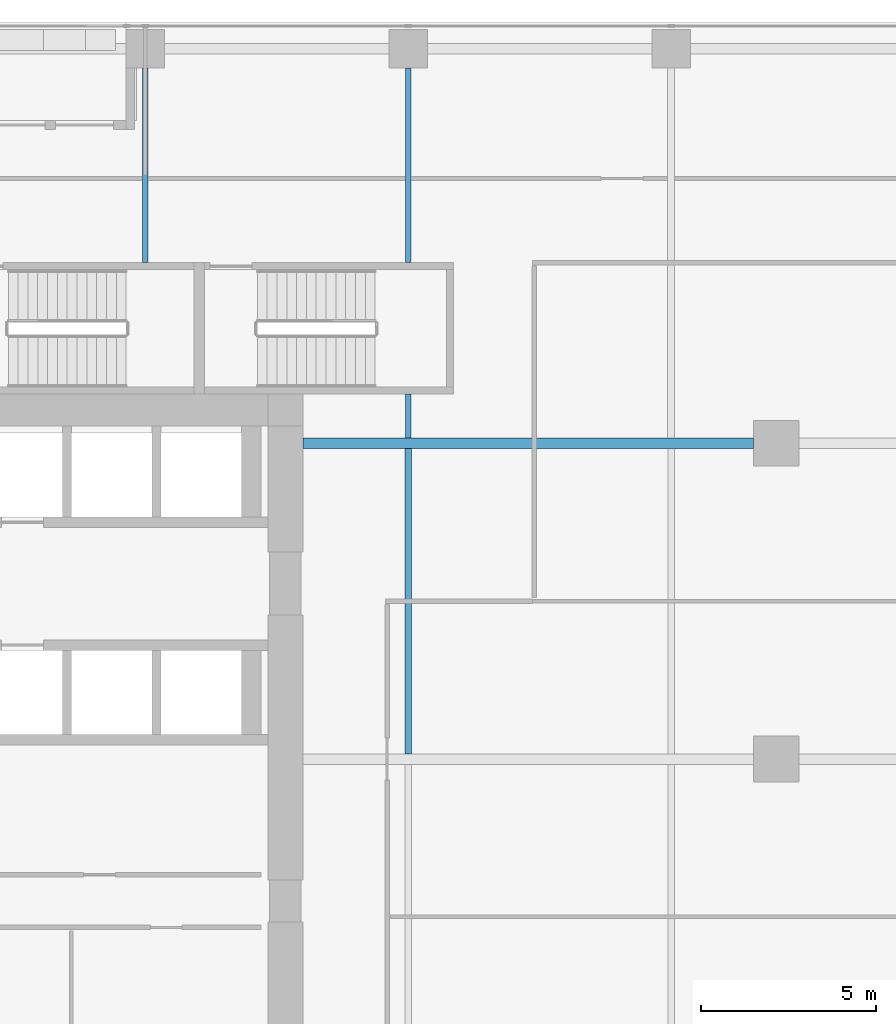
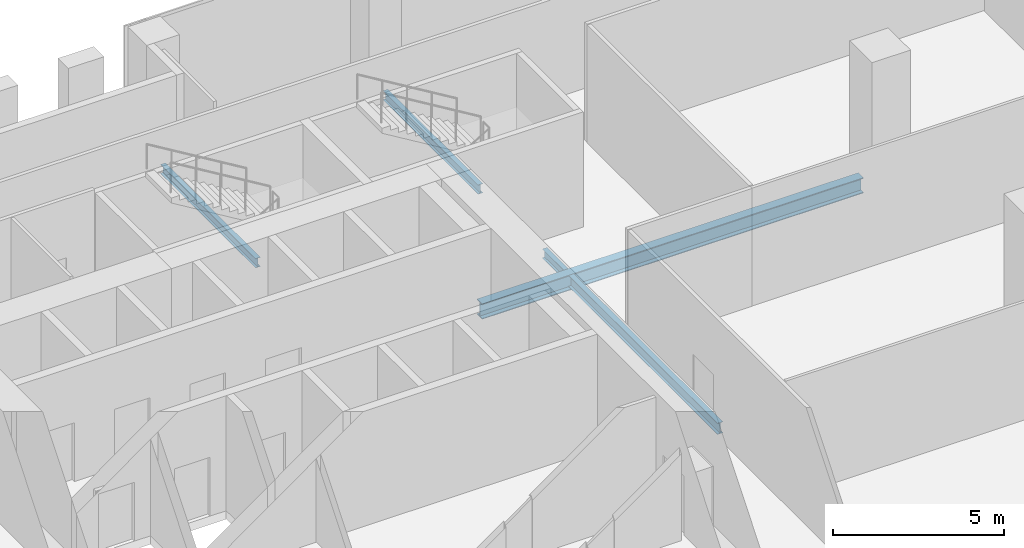
# One storey, part 15 of 34: 5 beams.
"""IFC4 building model written with IfcOpenShell, lengths in metres."""

from ifc_helpers import new_model, si_unit, direction, frame, origin, origin_2d, place, context, subcontext, project, spatial, i_section, extrude, source, transform, mapped, material, material_profile, profile_set, type_object, element, save


model = new_model("IFC4")

# Units and contexts
model_context = context("Model", 3, precision=1e-05, world=origin(), true_north=direction((0.0, 1.0)))
body_context = subcontext(model_context, "Body", "Model", "MODEL_VIEW")
ifc_project = project(units=[si_unit("LENGTHUNIT", "METRE"), si_unit("AREAUNIT", "SQUARE_METRE"), si_unit("VOLUMEUNIT", "CUBIC_METRE"), si_unit("PLANEANGLEUNIT", "RADIAN"), si_unit("MASSUNIT", "GRAM", prefix="KILO")], contexts=[model_context])

# Site, building, storey
site_placement = place(None, origin())
site = spatial("IfcSite", under=ifc_project, at=site_placement, CompositionType="ELEMENT")
building_placement = place(site_placement, origin())
building = spatial("IfcBuilding", under=site, at=building_placement, Name="Khomas Fold Tower", CompositionType="ELEMENT")
storey_placement = place(building_placement, frame((0.0, 0.0, 110.300048828125)))
storey = spatial("IfcBuildingStorey", under=building, at=storey_placement, Name="L23", CompositionType="ELEMENT", Elevation=110.300048828125)

# Beams
ifc_material_1 = material(Name="Steel S355", Category="steel")
ifc_material_profile_1 = material_profile(ifc_material_1, i_section(OverallWidth=0.179931640625, OverallDepth=0.39990234375, WebThickness=0.008544921875, FlangeThickness=0.013427734375, at=origin_2d()), Name="IPE 400")
ifc_profile_set_1 = profile_set([ifc_material_profile_1], Name="Steel S355")
beam_type_1 = type_object("IfcBeamType", Name="IPE 400 beam JB3", PredefinedType="BEAM", material=ifc_profile_set_1)
shared_shape_1 = source(origin(), body_context, "Body", "SweptSolid", [
    extrude(i_section(OverallWidth=0.179931640625, OverallDepth=0.39990234375, WebThickness=0.008544921875, FlangeThickness=0.013427734375, at=origin_2d()), origin(), (0.0, 0.0, 1.0), 8.7001953125),
])
beam_1_placement = place(storey_placement, frame((27.0, 31.64990234375, -0.5), z_axis=(0.0, 1.0, 0.0), x_axis=(-1.0, 0.0, 0.0)))
element("IfcBeam", 1, at=beam_1_placement, inside=storey, type_object=beam_type_1, Name="JB3", PredefinedType="BEAM", context=body_context, shape_type="MappedRepresentation", body=[
    mapped(shared_shape_1, transform((0.0, 0.0, 0.0))),
])
ifc_material_2 = material(Name="Steel S355", Category="steel")
ifc_material_profile_2 = material_profile(ifc_material_2, i_section(OverallWidth=0.159912109375, OverallDepth=0.330078125, WebThickness=0.007568359375, FlangeThickness=0.011474609375, at=origin_2d()), Name="IPE 330")
ifc_profile_set_2 = profile_set([ifc_material_profile_2], Name="Steel S355")
beam_type_2 = type_object("IfcBeamType", Name="IPE 330 beam JB1", PredefinedType="BEAM", material=ifc_profile_set_2)
shared_shape_2 = source(origin(), body_context, "Body", "SweptSolid", [
    extrude(i_section(OverallWidth=0.159912109375, OverallDepth=0.330078125, WebThickness=0.007568359375, FlangeThickness=0.011474609375, at=origin_2d()), origin(), (0.0, 0.0, 1.0), 1.25),
])
beam_2_placement = place(storey_placement, frame((27.0, 40.64990234375, -0.465087890625), z_axis=(0.0, 1.0, 0.0), x_axis=(-1.0, 0.0, 0.0)))
element("IfcBeam", 2, at=beam_2_placement, inside=storey, type_object=beam_type_2, Name="JB1", PredefinedType="BEAM", context=body_context, shape_type="MappedRepresentation", body=[
    mapped(shared_shape_2, transform((0.0, 0.0, 0.0))),
])
ifc_material_3 = material(Name="Steel S355", Category="steel")
ifc_material_profile_3 = material_profile(ifc_material_3, i_section(OverallWidth=0.300048828125, OverallDepth=0.550048828125, WebThickness=0.014892578125, FlangeThickness=0.029052734375, at=origin_2d()), Name="HE 550 B")
ifc_profile_set_3 = profile_set([ifc_material_profile_3], Name="Steel S355")
beam_type_3 = type_object("IfcBeamType", Name="HE 550 B beam GB4", PredefinedType="BEAM", material=ifc_profile_set_3)
shared_shape_3 = source(origin(), body_context, "Body", "SweptSolid", [
    extrude(i_section(OverallWidth=0.300048828125, OverallDepth=0.550048828125, WebThickness=0.014892578125, FlangeThickness=0.029052734375, at=origin_2d()), origin(), (0.0, 0.0, 1.0), 12.85009765625),
])
beam_3_placement = place(storey_placement, frame((24.0, 40.5, -0.574951171875), z_axis=(1.0, 0.0, 0.0), x_axis=(0.0, 1.0, 0.0)))
element("IfcBeam", 3, at=beam_3_placement, inside=storey, type_object=beam_type_3, Name="GB4", PredefinedType="BEAM", context=body_context, shape_type="MappedRepresentation", body=[
    mapped(shared_shape_3, transform((0.0, 0.0, 0.0))),
])
shared_shape_4 = source(origin(), body_context, "Body", "SweptSolid", [
    extrude(i_section(OverallWidth=0.159912109375, OverallDepth=0.330078125, WebThickness=0.007568359375, FlangeThickness=0.011474609375, at=origin_2d()), origin(), (0.0, 0.0, 1.0), 5.550048828125),
])
for number, where, z_axis, x_axis, name in (
    (4, (19.5, 45.64990234375, -0.465087890625), (0.0, 1.0, 0.0), (-1.0, 0.0, 0.0), "JB1"),
    (5, (27.0, 45.64990234375, -0.465087890625), (0.0, 1.0, 0.0), (-1.0, 0.0, 0.0), "JB1"),
):
    element("IfcBeam", number, at=place(storey_placement, frame(where, z_axis=z_axis, x_axis=x_axis)), inside=storey, type_object=beam_type_2, Name=name, PredefinedType="BEAM", context=body_context, shape_type="MappedRepresentation", body=[
        mapped(shared_shape_4, transform((0.0, 0.0, 0.0))),
    ])

save(model, "model.ifc")
